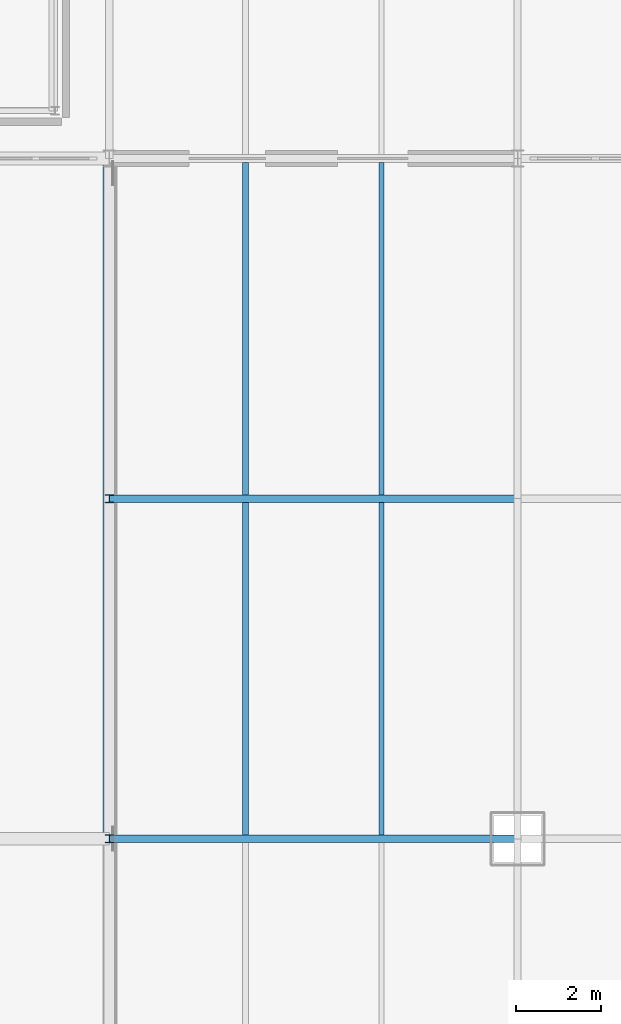
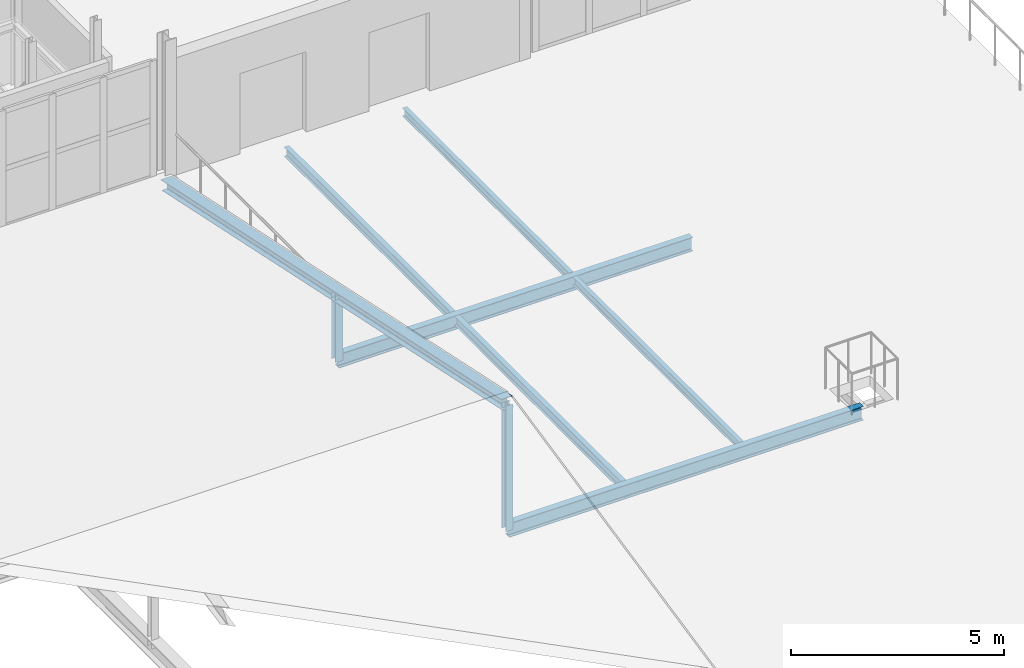
# One storey, part 38 of 85: 6 beams, 3 members.
"""IFC4 building model written with IfcOpenShell, lengths in metres."""

from ifc_helpers import new_model, si_unit, direction, frame, origin, origin_2d, place, context, subcontext, project, spatial, i_section, extrude, material, material_profile, profile_set, type_object, element, save


model = new_model("IFC4")

# Units and contexts
model_context = context("Model", 3, precision=1e-05, world=origin(), true_north=direction((0.0, 1.0)))
body_context = subcontext(model_context, "Body", "Model", "MODEL_VIEW")
ifc_project = project(units=[si_unit("LENGTHUNIT", "METRE"), si_unit("AREAUNIT", "SQUARE_METRE"), si_unit("VOLUMEUNIT", "CUBIC_METRE"), si_unit("PLANEANGLEUNIT", "RADIAN"), si_unit("MASSUNIT", "GRAM", prefix="KILO")], contexts=[model_context])

# Site, building, storey
site_placement = place(None, origin())
site = spatial("IfcSite", under=ifc_project, at=site_placement, CompositionType="ELEMENT")
building_placement = place(site_placement, origin())
building = spatial("IfcBuilding", under=site, at=building_placement, Name="Alderhovde Museum", CompositionType="ELEMENT")
storey_placement = place(building_placement, frame((0.0, 0.0, 8.699951171875)))
storey = spatial("IfcBuildingStorey", under=building, at=storey_placement, Name="L02", CompositionType="ELEMENT", Elevation=8.699951171875)

# Beams
ifc_material_1 = material(Name="Steel S355J2", Category="steel")
ifc_material_profile_1 = material_profile(ifc_material_1, i_section(OverallWidth=0.179931640625, OverallDepth=0.39990234375, WebThickness=0.008544921875, FlangeThickness=0.013427734375, FilletRadius=0.02099609375, at=origin_2d()), Name="IPE 400")
ifc_profile_set_1 = profile_set([ifc_material_profile_1], Name="Steel S355J2")
beam_type_1 = type_object("IfcBeamType", Name="BM-IPE400", PredefinedType="BEAM", material=ifc_profile_set_1)
for number, where, z_axis, x_axis, name in (
    (1, (96.0, 16.0, -0.5), (1.0, 0.0, 0.0), (0.0, 1.0, 0.0), "L02 Grid Beam Y=16.0 (96.0 TO 105.6)"),
    (2, (96.0, 24.0, -0.5), (1.0, 0.0, 0.0), (0.0, 1.0, 0.0), "L02 Grid Beam Y=24.0 (96.0 TO 105.6)"),
):
    element("IfcBeam", number, at=place(storey_placement, frame(where, z_axis=z_axis, x_axis=x_axis)), inside=storey, type_object=beam_type_1, Name=name, PredefinedType="BEAM", context=body_context, shape_type="SweptSolid", body=[
        extrude(i_section(OverallWidth=0.179931640625, OverallDepth=0.39990234375, WebThickness=0.008544921875, FlangeThickness=0.013427734375, FilletRadius=0.02099609375, at=origin_2d()), origin(), (0.0, 0.0, 1.0), 9.60009765625),
    ])
ifc_material_2 = material(Name="Steel S355J2", Category="steel")
ifc_material_profile_2 = material_profile(ifc_material_2, i_section(OverallWidth=0.1201171875, OverallDepth=0.239990234375, WebThickness=0.006103515625, FlangeThickness=0.009765625, FilletRadius=0.014892578125, at=origin_2d()), Name="IPE 240")
ifc_profile_set_2 = profile_set([ifc_material_profile_2], Name="Steel S355J2")
beam_type_2 = type_object("IfcBeamType", Name="JST-IPE240", PredefinedType="JOIST", material=ifc_profile_set_2)
for number, where, z_axis, x_axis, name in (
    (3, (102.39990234375, 16.090087890625, -0.419921875), (0.0, 1.0, 0.0), (-1.0, 0.0, 0.0), "L02 Composite Joist X=102.4 (16.0 TO 24.0)"),
    (4, (102.39990234375, 24.090087890625, -0.419921875), (0.0, 1.0, 0.0), (-1.0, 0.0, 0.0), "L02 Composite Joist X=102.4 (24.0 TO 32.0)"),
):
    element("IfcBeam", number, at=place(storey_placement, frame(where, z_axis=z_axis, x_axis=x_axis)), inside=storey, type_object=beam_type_2, Name=name, PredefinedType="JOIST", context=body_context, shape_type="SweptSolid", body=[
        extrude(i_section(OverallWidth=0.1201171875, OverallDepth=0.239990234375, WebThickness=0.006103515625, FlangeThickness=0.009765625, FilletRadius=0.014892578125, at=origin_2d()), origin(), (0.0, 0.0, 1.0), 7.81982421875),
    ])
ifc_material_3 = material(Name="Steel S355J2", Category="steel")
ifc_material_profile_3 = material_profile(ifc_material_3, i_section(OverallWidth=0.135009765625, OverallDepth=0.27001953125, WebThickness=0.006591796875, FlangeThickness=0.01025390625, FilletRadius=0.014892578125, at=origin_2d()), Name="IPE 270")
ifc_profile_set_3 = profile_set([ifc_material_profile_3], Name="Steel S355J2")
beam_type_3 = type_object("IfcBeamType", Name="JST-IPE270", PredefinedType="JOIST", material=ifc_profile_set_3)
for number, where, z_axis, x_axis, name in (
    (5, (99.199951171875, 16.090087890625, -0.43505859375), (0.0, 1.0, 0.0), (-1.0, 0.0, 0.0), "L02 Composite Joist X=99.2 (16.0 TO 24.0)"),
    (6, (99.199951171875, 24.090087890625, -0.43505859375), (0.0, 1.0, 0.0), (-1.0, 0.0, 0.0), "L02 Composite Joist X=99.2 (24.0 TO 32.0)"),
):
    element("IfcBeam", number, at=place(storey_placement, frame(where, z_axis=z_axis, x_axis=x_axis)), inside=storey, type_object=beam_type_3, Name=name, PredefinedType="JOIST", context=body_context, shape_type="SweptSolid", body=[
        extrude(i_section(OverallWidth=0.135009765625, OverallDepth=0.27001953125, WebThickness=0.006591796875, FlangeThickness=0.01025390625, FilletRadius=0.014892578125, at=origin_2d()), origin(), (0.0, 0.0, 1.0), 7.81982421875),
    ])

# Members
ifc_material_4 = material(Name="Steel S355J2", Category="steel")
ifc_material_profile_4 = material_profile(ifc_material_4, i_section(OverallWidth=0.300048828125, OverallDepth=0.2900390625, WebThickness=0.008544921875, FlangeThickness=0.013916015625, FilletRadius=0.027099609375, at=origin_2d()), Name="HEA 300")
ifc_profile_set_4 = profile_set([ifc_material_profile_4], Name="Steel S355J2")
member_type_1 = type_object("IfcMemberType", Name="TR-CH-HEA300", PredefinedType="CHORD", material=ifc_profile_set_4)
member_1_placement = place(storey_placement, frame((96.0, 32.0, -0.300048828125), z_axis=(0.0, -0.9781570301, 0.207867324191), x_axis=(1.0, 0.0, 0.0)))
element("IfcMember", 7, at=member_1_placement, inside=storey, type_object=member_type_1, Name="Auditorium Roof Truss X=96.0 North Rafter", PredefinedType="CHORD", context=body_context, shape_type="SweptSolid", body=[
    extrude(i_section(OverallWidth=0.300048828125, OverallDepth=0.2900390625, WebThickness=0.008544921875, FlangeThickness=0.013916015625, FilletRadius=0.027099609375, at=origin_2d()), origin(), (0.0, 0.0, 1.0), 16.357177734375),
])
ifc_material_5 = material(Name="Steel S355J2", Category="steel")
ifc_material_profile_5 = material_profile(ifc_material_5, i_section(OverallWidth=0.199951171875, OverallDepth=0.18994140625, WebThickness=0.006591796875, FlangeThickness=0.010009765625, FilletRadius=0.01806640625, at=origin_2d()), Name="HEA 200")
ifc_profile_set_5 = profile_set([ifc_material_profile_5], Name="Steel S355J2")
member_type_2 = type_object("IfcMemberType", Name="TR-PS-HEA200", PredefinedType="POST", material=ifc_profile_set_5)
member_2_placement = place(storey_placement, frame((96.0, 16.0, -0.5), z_axis=(0.0, 0.0, 1.0), x_axis=(1.0, 0.0, 0.0)))
element("IfcMember", 8, at=member_2_placement, inside=storey, type_object=member_type_2, Name="Auditorium Roof Truss X=96.0 Post P2", PredefinedType="POST", context=body_context, shape_type="SweptSolid", body=[
    extrude(i_section(OverallWidth=0.199951171875, OverallDepth=0.18994140625, WebThickness=0.006591796875, FlangeThickness=0.010009765625, FilletRadius=0.01806640625, at=origin_2d()), origin(), (0.0, 0.0, 1.0), 3.60009765625),
])
member_3_placement = place(storey_placement, frame((96.0, 24.0, -0.5), z_axis=(0.0, 0.0, 1.0), x_axis=(1.0, 0.0, 0.0)))
element("IfcMember", 9, at=member_3_placement, inside=storey, type_object=member_type_2, Name="Auditorium Roof Truss X=96.0 Post P3", PredefinedType="POST", context=body_context, shape_type="SweptSolid", body=[
    extrude(i_section(OverallWidth=0.199951171875, OverallDepth=0.18994140625, WebThickness=0.006591796875, FlangeThickness=0.010009765625, FilletRadius=0.01806640625, at=origin_2d()), origin(), (0.0, 0.0, 1.0), 1.900146484375),
])

save(model, "model.ifc")
